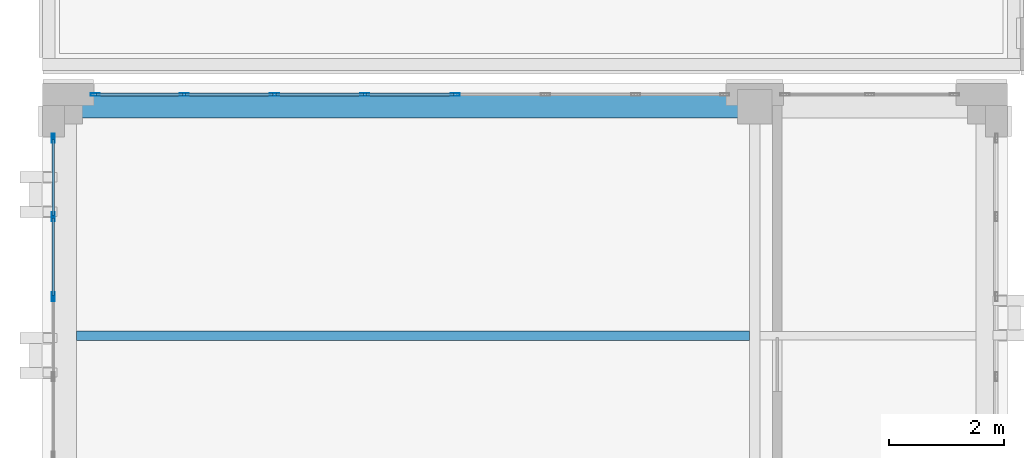
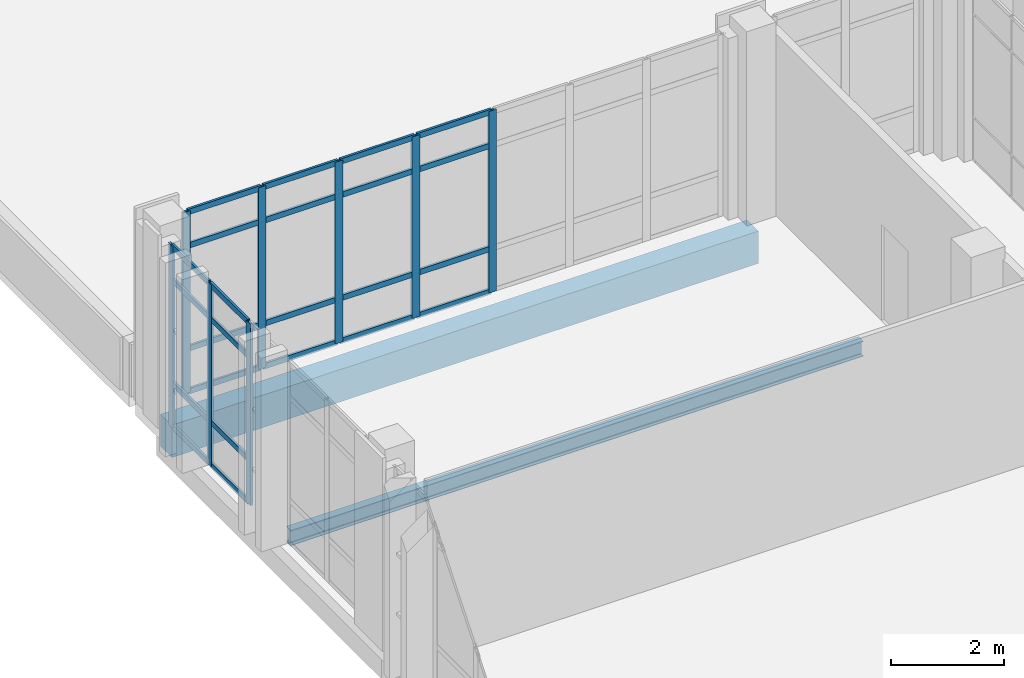
# One storey, part 37 of 90: 32 members, 2 beams, 2 elements without a shape of their own.
"""IFC4 building model written with IfcOpenShell, lengths in metres."""

from ifc_helpers import new_model, si_unit, direction, frame, origin, origin_2d, place, context, subcontext, project, spatial, rectangle, hollow_rectangle, i_section, extrude, material, layer, layer_set, material_profile, profile_set, type_object, element, aggregate, save


model = new_model("IFC4")

# Units and contexts
model_context = context("Model", 3, precision=1e-05, world=origin(), true_north=direction((0.0, 1.0)))
body_context = subcontext(model_context, "Body", "Model", "MODEL_VIEW")
ifc_project = project(units=[si_unit("LENGTHUNIT", "METRE"), si_unit("AREAUNIT", "SQUARE_METRE"), si_unit("VOLUMEUNIT", "CUBIC_METRE"), si_unit("PLANEANGLEUNIT", "RADIAN"), si_unit("MASSUNIT", "GRAM", prefix="KILO")], contexts=[model_context])

# Site, building, storey
site_placement = place(None, origin())
site = spatial("IfcSite", under=ifc_project, at=site_placement, CompositionType="ELEMENT")
building_placement = place(site_placement, origin())
building = spatial("IfcBuilding", under=site, at=building_placement, Name="Qalavern Law Courts", CompositionType="ELEMENT")
storey_placement = place(building_placement, frame((0.0, 0.0, 22.800048828125)))
storey = spatial("IfcBuildingStorey", under=building, at=storey_placement, Name="L05", CompositionType="ELEMENT", Elevation=22.800048828125)

# Curtain wall, members
ifc_material_1 = material(Name="Anodised aluminium and insulated glazing", Category="aluminium")
ifc_layer = layer(ifc_material_1, 0.159912109375)
ifc_layer_set = layer_set([ifc_layer], Name="Anodised aluminium and insulated glazing")
curtain_wall_type = type_object("IfcCurtainWallType", Name="ENV-CW-CHAMB", PredefinedType="USERDEFINED", material=ifc_layer_set)
curtain_wall_1_placement = place(storey_placement, origin())
curtain_wall_1 = element("IfcCurtainWall", 1, at=curtain_wall_1_placement, inside=storey, type_object=curtain_wall_type, Name="V3 unitised curtain wall L05 north 2", ObjectType="UNITISED CURTAIN WALL", PredefinedType="USERDEFINED")
ifc_material_2 = material(Name="Anodised aluminium", Category="aluminium")
ifc_material_profile_1 = material_profile(ifc_material_2, hollow_rectangle(XDim=0.048095703125, YDim=0.159912109375, WallThickness=0.00390625, at=origin_2d()), Name="ALU MULLION 48x160")
ifc_profile_set_1 = profile_set([ifc_material_profile_1], Name="Anodised aluminium")
member_type_1 = type_object("IfcMemberType", Name="ENV-CWM-48x160", PredefinedType="MULLION", material=ifc_profile_set_1)
member_1_placement = place(storey_placement, frame((9.185791015625, 95.78759765625, 0.0), z_axis=(0.0, 0.0, 1.0), x_axis=(0.0, -1.0, 0.0)))
member_1 = element("IfcMember", 2, at=member_1_placement, type_object=member_type_1, Name="CW-04 mullion 4", PredefinedType="MULLION", context=body_context, shape_type="SweptSolid", body=[
    extrude(hollow_rectangle(XDim=0.048095703125, YDim=0.159912109375, WallThickness=0.00390625, at=origin_2d()), origin(), (0.0, 0.0, 1.0), 3.929931640625),
])
member_2_placement = place(storey_placement, frame((7.6142578125, 95.78759765625, 0.0), z_axis=(0.0, 0.0, 1.0), x_axis=(0.0, -1.0, 0.0)))
member_2 = element("IfcMember", 3, at=member_2_placement, type_object=member_type_1, Name="CW-04 mullion 5", PredefinedType="MULLION", context=body_context, shape_type="SweptSolid", body=[
    extrude(hollow_rectangle(XDim=0.048095703125, YDim=0.159912109375, WallThickness=0.00390625, at=origin_2d()), origin(), (0.0, 0.0, 1.0), 3.929931640625),
])
member_3_placement = place(storey_placement, frame((6.04296875, 95.78759765625, 0.0), z_axis=(0.0, 0.0, 1.0), x_axis=(0.0, -1.0, 0.0)))
member_3 = element("IfcMember", 4, at=member_3_placement, type_object=member_type_1, Name="CW-04 mullion 6", PredefinedType="MULLION", context=body_context, shape_type="SweptSolid", body=[
    extrude(hollow_rectangle(XDim=0.048095703125, YDim=0.159912109375, WallThickness=0.00390625, at=origin_2d()), origin(), (0.0, 0.0, 1.0), 3.929931640625),
])
member_4_placement = place(storey_placement, frame((4.471435546875, 95.78759765625, 0.0), z_axis=(0.0, 0.0, 1.0), x_axis=(0.0, -1.0, 0.0)))
member_4 = element("IfcMember", 5, at=member_4_placement, type_object=member_type_1, Name="CW-04 mullion 7", PredefinedType="MULLION", context=body_context, shape_type="SweptSolid", body=[
    extrude(hollow_rectangle(XDim=0.048095703125, YDim=0.159912109375, WallThickness=0.00390625, at=origin_2d()), origin(), (0.0, 0.0, 1.0), 3.929931640625),
])
member_5_placement = place(storey_placement, frame((2.924072265625, 95.78759765625, 0.0), z_axis=(0.0, 0.0, 1.0), x_axis=(0.0, -1.0, 0.0)))
member_5 = element("IfcMember", 6, at=member_5_placement, type_object=member_type_1, Name="CW-04 mullion 8", PredefinedType="MULLION", context=body_context, shape_type="SweptSolid", body=[
    extrude(hollow_rectangle(XDim=0.048095703125, YDim=0.159912109375, WallThickness=0.00390625, at=origin_2d()), origin(), (0.0, 0.0, 1.0), 3.929931640625),
])

curtain_wall_2_placement = place(storey_placement, origin())
curtain_wall_2 = element("IfcCurtainWall", 7, at=curtain_wall_2_placement, inside=storey, type_object=curtain_wall_type, Name="V3 unitised curtain wall L05 west 1", ObjectType="UNITISED CURTAIN WALL", PredefinedType="USERDEFINED")
member_6_placement = place(storey_placement, frame((2.1923828125, 95.02587890625, 0.0), z_axis=(0.0, 0.0, 1.0), x_axis=(1.0, 0.0, 0.0)))
member_6 = element("IfcMember", 8, at=member_6_placement, type_object=member_type_1, Name="CW-04 mullion 1", PredefinedType="MULLION", context=body_context, shape_type="SweptSolid", body=[
    extrude(hollow_rectangle(XDim=0.048095703125, YDim=0.159912109375, WallThickness=0.00390625, at=origin_2d()), origin(), (0.0, 0.0, 1.0), 3.929931640625),
])
member_7_placement = place(storey_placement, frame((2.1923828125, 93.659912109375, 0.0), z_axis=(0.0, 0.0, 1.0), x_axis=(1.0, 0.0, 0.0)))
member_7 = element("IfcMember", 9, at=member_7_placement, type_object=member_type_1, Name="CW-04 mullion 2", PredefinedType="MULLION", context=body_context, shape_type="SweptSolid", body=[
    extrude(hollow_rectangle(XDim=0.048095703125, YDim=0.159912109375, WallThickness=0.00390625, at=origin_2d()), origin(), (0.0, 0.0, 1.0), 3.929931640625),
])
member_8_placement = place(storey_placement, frame((2.1923828125, 92.27001953125, 0.0), z_axis=(0.0, 0.0, 1.0), x_axis=(1.0, 0.0, 0.0)))
member_8 = element("IfcMember", 10, at=member_8_placement, type_object=member_type_1, Name="CW-04 mullion 3", PredefinedType="MULLION", context=body_context, shape_type="SweptSolid", body=[
    extrude(hollow_rectangle(XDim=0.048095703125, YDim=0.159912109375, WallThickness=0.00390625, at=origin_2d()), origin(), (0.0, 0.0, 1.0), 3.929931640625),
])

# Member
ifc_material_profile_2 = material_profile(ifc_material_2, hollow_rectangle(XDim=0.048095703125, YDim=0.1201171875, WallThickness=0.00390625, at=origin_2d()), Name="ALU TRANSOM 48x120")
ifc_profile_set_2 = profile_set([ifc_material_profile_2], Name="Anodised aluminium")
member_type_2 = type_object("IfcMemberType", Name="ENV-CWT-48x120", PredefinedType="USERDEFINED", material=ifc_profile_set_2)
member_9_placement = place(storey_placement, frame((9.16162109375, 95.78759765625, 0.02392578125), z_axis=(-1.0, 0.0, 0.0), x_axis=(0.0, -1.0, 0.0)))
member_9 = element("IfcMember", 11, at=member_9_placement, type_object=member_type_2, Name="CW-04 transom 4.1", ObjectType="TRANSOM", PredefinedType="USERDEFINED", context=body_context, shape_type="SweptSolid", body=[
    extrude(hollow_rectangle(XDim=0.048095703125, YDim=0.1201171875, WallThickness=0.00390625, at=origin_2d()), origin(), (0.0, 0.0, 1.0), 1.5234375),
])

member_10_placement = place(storey_placement, frame((9.16162109375, 95.78759765625, 0.949951171875), z_axis=(-1.0, 0.0, 0.0), x_axis=(0.0, -1.0, 0.0)))
member_10 = element("IfcMember", 12, at=member_10_placement, type_object=member_type_2, Name="CW-04 transom 4.2", ObjectType="TRANSOM", PredefinedType="USERDEFINED", context=body_context, shape_type="SweptSolid", body=[
    extrude(hollow_rectangle(XDim=0.048095703125, YDim=0.1201171875, WallThickness=0.00390625, at=origin_2d()), origin(), (0.0, 0.0, 1.0), 1.5234375),
])

member_11_placement = place(storey_placement, frame((9.16162109375, 95.78759765625, 3.179931640625), z_axis=(-1.0, 0.0, 0.0), x_axis=(0.0, -1.0, 0.0)))
member_11 = element("IfcMember", 13, at=member_11_placement, type_object=member_type_2, Name="CW-04 transom 4.3", ObjectType="TRANSOM", PredefinedType="USERDEFINED", context=body_context, shape_type="SweptSolid", body=[
    extrude(hollow_rectangle(XDim=0.048095703125, YDim=0.1201171875, WallThickness=0.00390625, at=origin_2d()), origin(), (0.0, 0.0, 1.0), 1.5234375),
])

member_12_placement = place(storey_placement, frame((9.16162109375, 95.78759765625, 3.906005859375), z_axis=(-1.0, 0.0, 0.0), x_axis=(0.0, -1.0, 0.0)))
member_12 = element("IfcMember", 14, at=member_12_placement, type_object=member_type_2, Name="CW-04 transom 4.4", ObjectType="TRANSOM", PredefinedType="USERDEFINED", context=body_context, shape_type="SweptSolid", body=[
    extrude(hollow_rectangle(XDim=0.048095703125, YDim=0.1201171875, WallThickness=0.00390625, at=origin_2d()), origin(), (0.0, 0.0, 1.0), 1.5234375),
])

member_13_placement = place(storey_placement, frame((7.59033203125, 95.78759765625, 0.02392578125), z_axis=(-1.0, 0.0, 0.0), x_axis=(0.0, -1.0, 0.0)))
member_13 = element("IfcMember", 15, at=member_13_placement, type_object=member_type_2, Name="CW-04 transom 5.1", ObjectType="TRANSOM", PredefinedType="USERDEFINED", context=body_context, shape_type="SweptSolid", body=[
    extrude(hollow_rectangle(XDim=0.048095703125, YDim=0.1201171875, WallThickness=0.00390625, at=origin_2d()), origin(), (0.0, 0.0, 1.0), 1.5234375),
])

member_14_placement = place(storey_placement, frame((7.59033203125, 95.78759765625, 0.949951171875), z_axis=(-1.0, 0.0, 0.0), x_axis=(0.0, -1.0, 0.0)))
member_14 = element("IfcMember", 16, at=member_14_placement, type_object=member_type_2, Name="CW-04 transom 5.2", ObjectType="TRANSOM", PredefinedType="USERDEFINED", context=body_context, shape_type="SweptSolid", body=[
    extrude(hollow_rectangle(XDim=0.048095703125, YDim=0.1201171875, WallThickness=0.00390625, at=origin_2d()), origin(), (0.0, 0.0, 1.0), 1.5234375),
])

member_15_placement = place(storey_placement, frame((7.59033203125, 95.78759765625, 3.179931640625), z_axis=(-1.0, 0.0, 0.0), x_axis=(0.0, -1.0, 0.0)))
member_15 = element("IfcMember", 17, at=member_15_placement, type_object=member_type_2, Name="CW-04 transom 5.3", ObjectType="TRANSOM", PredefinedType="USERDEFINED", context=body_context, shape_type="SweptSolid", body=[
    extrude(hollow_rectangle(XDim=0.048095703125, YDim=0.1201171875, WallThickness=0.00390625, at=origin_2d()), origin(), (0.0, 0.0, 1.0), 1.5234375),
])

member_16_placement = place(storey_placement, frame((7.59033203125, 95.78759765625, 3.906005859375), z_axis=(-1.0, 0.0, 0.0), x_axis=(0.0, -1.0, 0.0)))
member_16 = element("IfcMember", 18, at=member_16_placement, type_object=member_type_2, Name="CW-04 transom 5.4", ObjectType="TRANSOM", PredefinedType="USERDEFINED", context=body_context, shape_type="SweptSolid", body=[
    extrude(hollow_rectangle(XDim=0.048095703125, YDim=0.1201171875, WallThickness=0.00390625, at=origin_2d()), origin(), (0.0, 0.0, 1.0), 1.5234375),
])

member_17_placement = place(storey_placement, frame((6.018798828125, 95.78759765625, 0.02392578125), z_axis=(-1.0, 0.0, 0.0), x_axis=(0.0, -1.0, 0.0)))
member_17 = element("IfcMember", 19, at=member_17_placement, type_object=member_type_2, Name="CW-04 transom 6.1", ObjectType="TRANSOM", PredefinedType="USERDEFINED", context=body_context, shape_type="SweptSolid", body=[
    extrude(hollow_rectangle(XDim=0.048095703125, YDim=0.1201171875, WallThickness=0.00390625, at=origin_2d()), origin(), (0.0, 0.0, 1.0), 1.5234375),
])

member_18_placement = place(storey_placement, frame((6.018798828125, 95.78759765625, 0.949951171875), z_axis=(-1.0, 0.0, 0.0), x_axis=(0.0, -1.0, 0.0)))
member_18 = element("IfcMember", 20, at=member_18_placement, type_object=member_type_2, Name="CW-04 transom 6.2", ObjectType="TRANSOM", PredefinedType="USERDEFINED", context=body_context, shape_type="SweptSolid", body=[
    extrude(hollow_rectangle(XDim=0.048095703125, YDim=0.1201171875, WallThickness=0.00390625, at=origin_2d()), origin(), (0.0, 0.0, 1.0), 1.5234375),
])

member_19_placement = place(storey_placement, frame((6.018798828125, 95.78759765625, 3.179931640625), z_axis=(-1.0, 0.0, 0.0), x_axis=(0.0, -1.0, 0.0)))
member_19 = element("IfcMember", 21, at=member_19_placement, type_object=member_type_2, Name="CW-04 transom 6.3", ObjectType="TRANSOM", PredefinedType="USERDEFINED", context=body_context, shape_type="SweptSolid", body=[
    extrude(hollow_rectangle(XDim=0.048095703125, YDim=0.1201171875, WallThickness=0.00390625, at=origin_2d()), origin(), (0.0, 0.0, 1.0), 1.5234375),
])

member_20_placement = place(storey_placement, frame((6.018798828125, 95.78759765625, 3.906005859375), z_axis=(-1.0, 0.0, 0.0), x_axis=(0.0, -1.0, 0.0)))
member_20 = element("IfcMember", 22, at=member_20_placement, type_object=member_type_2, Name="CW-04 transom 6.4", ObjectType="TRANSOM", PredefinedType="USERDEFINED", context=body_context, shape_type="SweptSolid", body=[
    extrude(hollow_rectangle(XDim=0.048095703125, YDim=0.1201171875, WallThickness=0.00390625, at=origin_2d()), origin(), (0.0, 0.0, 1.0), 1.5234375),
])

member_21_placement = place(storey_placement, frame((4.447509765625, 95.78759765625, 0.02392578125), z_axis=(-1.0, 0.0, 0.0), x_axis=(0.0, -1.0, 0.0)))
member_21 = element("IfcMember", 23, at=member_21_placement, type_object=member_type_2, Name="CW-04 transom 7.1", ObjectType="TRANSOM", PredefinedType="USERDEFINED", context=body_context, shape_type="SweptSolid", body=[
    extrude(hollow_rectangle(XDim=0.048095703125, YDim=0.1201171875, WallThickness=0.00390625, at=origin_2d()), origin(), (0.0, 0.0, 1.0), 1.49951171875),
])

member_22_placement = place(storey_placement, frame((4.447509765625, 95.78759765625, 0.949951171875), z_axis=(-1.0, 0.0, 0.0), x_axis=(0.0, -1.0, 0.0)))
member_22 = element("IfcMember", 24, at=member_22_placement, type_object=member_type_2, Name="CW-04 transom 7.2", ObjectType="TRANSOM", PredefinedType="USERDEFINED", context=body_context, shape_type="SweptSolid", body=[
    extrude(hollow_rectangle(XDim=0.048095703125, YDim=0.1201171875, WallThickness=0.00390625, at=origin_2d()), origin(), (0.0, 0.0, 1.0), 1.49951171875),
])

member_23_placement = place(storey_placement, frame((4.447509765625, 95.78759765625, 3.179931640625), z_axis=(-1.0, 0.0, 0.0), x_axis=(0.0, -1.0, 0.0)))
member_23 = element("IfcMember", 25, at=member_23_placement, type_object=member_type_2, Name="CW-04 transom 7.3", ObjectType="TRANSOM", PredefinedType="USERDEFINED", context=body_context, shape_type="SweptSolid", body=[
    extrude(hollow_rectangle(XDim=0.048095703125, YDim=0.1201171875, WallThickness=0.00390625, at=origin_2d()), origin(), (0.0, 0.0, 1.0), 1.49951171875),
])

member_24_placement = place(storey_placement, frame((4.447509765625, 95.78759765625, 3.906005859375), z_axis=(-1.0, 0.0, 0.0), x_axis=(0.0, -1.0, 0.0)))
member_24 = element("IfcMember", 26, at=member_24_placement, type_object=member_type_2, Name="CW-04 transom 7.4", ObjectType="TRANSOM", PredefinedType="USERDEFINED", context=body_context, shape_type="SweptSolid", body=[
    extrude(hollow_rectangle(XDim=0.048095703125, YDim=0.1201171875, WallThickness=0.00390625, at=origin_2d()), origin(), (0.0, 0.0, 1.0), 1.49951171875),
])

aggregate(curtain_wall_1, [member_1, member_2, member_3, member_4, member_5, member_9, member_10, member_11, member_12, member_13, member_14, member_15, member_16, member_17, member_18, member_19, member_20, member_21, member_22, member_23, member_24])

member_25_placement = place(storey_placement, frame((2.1923828125, 95.001953125, 0.02392578125), z_axis=(0.0, -1.0, 0.0), x_axis=(1.0, 0.0, 0.0)))
member_25 = element("IfcMember", 27, at=member_25_placement, type_object=member_type_2, Name="CW-04 transom 1.1", ObjectType="TRANSOM", PredefinedType="USERDEFINED", context=body_context, shape_type="SweptSolid", body=[
    extrude(hollow_rectangle(XDim=0.048095703125, YDim=0.1201171875, WallThickness=0.00390625, at=origin_2d()), origin(), (0.0, 0.0, 1.0), 1.31787109375),
])

member_26_placement = place(storey_placement, frame((2.1923828125, 95.001953125, 0.949951171875), z_axis=(0.0, -1.0, 0.0), x_axis=(1.0, 0.0, 0.0)))
member_26 = element("IfcMember", 28, at=member_26_placement, type_object=member_type_2, Name="CW-04 transom 1.2", ObjectType="TRANSOM", PredefinedType="USERDEFINED", context=body_context, shape_type="SweptSolid", body=[
    extrude(hollow_rectangle(XDim=0.048095703125, YDim=0.1201171875, WallThickness=0.00390625, at=origin_2d()), origin(), (0.0, 0.0, 1.0), 1.31787109375),
])

member_27_placement = place(storey_placement, frame((2.1923828125, 95.001953125, 3.179931640625), z_axis=(0.0, -1.0, 0.0), x_axis=(1.0, 0.0, 0.0)))
member_27 = element("IfcMember", 29, at=member_27_placement, type_object=member_type_2, Name="CW-04 transom 1.3", ObjectType="TRANSOM", PredefinedType="USERDEFINED", context=body_context, shape_type="SweptSolid", body=[
    extrude(hollow_rectangle(XDim=0.048095703125, YDim=0.1201171875, WallThickness=0.00390625, at=origin_2d()), origin(), (0.0, 0.0, 1.0), 1.31787109375),
])

member_28_placement = place(storey_placement, frame((2.1923828125, 95.001953125, 3.906005859375), z_axis=(0.0, -1.0, 0.0), x_axis=(1.0, 0.0, 0.0)))
member_28 = element("IfcMember", 30, at=member_28_placement, type_object=member_type_2, Name="CW-04 transom 1.4", ObjectType="TRANSOM", PredefinedType="USERDEFINED", context=body_context, shape_type="SweptSolid", body=[
    extrude(hollow_rectangle(XDim=0.048095703125, YDim=0.1201171875, WallThickness=0.00390625, at=origin_2d()), origin(), (0.0, 0.0, 1.0), 1.31787109375),
])

member_29_placement = place(storey_placement, frame((2.1923828125, 93.635986328125, 0.02392578125), z_axis=(0.0, -1.0, 0.0), x_axis=(1.0, 0.0, 0.0)))
member_29 = element("IfcMember", 31, at=member_29_placement, type_object=member_type_2, Name="CW-04 transom 2.1", ObjectType="TRANSOM", PredefinedType="USERDEFINED", context=body_context, shape_type="SweptSolid", body=[
    extrude(hollow_rectangle(XDim=0.048095703125, YDim=0.1201171875, WallThickness=0.00390625, at=origin_2d()), origin(), (0.0, 0.0, 1.0), 1.342041015625),
])

member_30_placement = place(storey_placement, frame((2.1923828125, 93.635986328125, 0.949951171875), z_axis=(0.0, -1.0, 0.0), x_axis=(1.0, 0.0, 0.0)))
member_30 = element("IfcMember", 32, at=member_30_placement, type_object=member_type_2, Name="CW-04 transom 2.2", ObjectType="TRANSOM", PredefinedType="USERDEFINED", context=body_context, shape_type="SweptSolid", body=[
    extrude(hollow_rectangle(XDim=0.048095703125, YDim=0.1201171875, WallThickness=0.00390625, at=origin_2d()), origin(), (0.0, 0.0, 1.0), 1.342041015625),
])

member_31_placement = place(storey_placement, frame((2.1923828125, 93.635986328125, 3.179931640625), z_axis=(0.0, -1.0, 0.0), x_axis=(1.0, 0.0, 0.0)))
member_31 = element("IfcMember", 33, at=member_31_placement, type_object=member_type_2, Name="CW-04 transom 2.3", ObjectType="TRANSOM", PredefinedType="USERDEFINED", context=body_context, shape_type="SweptSolid", body=[
    extrude(hollow_rectangle(XDim=0.048095703125, YDim=0.1201171875, WallThickness=0.00390625, at=origin_2d()), origin(), (0.0, 0.0, 1.0), 1.342041015625),
])

member_32_placement = place(storey_placement, frame((2.1923828125, 93.635986328125, 3.906005859375), z_axis=(0.0, -1.0, 0.0), x_axis=(1.0, 0.0, 0.0)))
member_32 = element("IfcMember", 34, at=member_32_placement, type_object=member_type_2, Name="CW-04 transom 2.4", ObjectType="TRANSOM", PredefinedType="USERDEFINED", context=body_context, shape_type="SweptSolid", body=[
    extrude(hollow_rectangle(XDim=0.048095703125, YDim=0.1201171875, WallThickness=0.00390625, at=origin_2d()), origin(), (0.0, 0.0, 1.0), 1.342041015625),
])

aggregate(curtain_wall_2, [member_6, member_7, member_8, member_25, member_26, member_27, member_28, member_29, member_30, member_31, member_32])

# Beams
ifc_material_3 = material(Name="Steel S355", Category="steel")
ifc_material_profile_3 = material_profile(ifc_material_3, i_section(OverallWidth=0.159912109375, OverallDepth=0.330078125, WebThickness=0.007568359375, FlangeThickness=0.011474609375, FilletRadius=0.01806640625, at=origin_2d()), Name="IPE 330")
ifc_profile_set_3 = profile_set([ifc_material_profile_3], Name="Steel S355")
beam_type_1 = type_object("IfcBeamType", Name="STR-JST-IPE330", PredefinedType="JOIST", material=ifc_profile_set_3)
beam_1_placement = place(storey_placement, frame((2.597900390625, 91.590087890625, -0.43994140625), z_axis=(1.0, 0.0, 0.0), x_axis=(0.0, 1.0, 0.0)))
element("IfcBeam", 35, at=beam_1_placement, inside=storey, type_object=beam_type_1, Name="V3 secondary joist 1.7.1 L05", PredefinedType="JOIST", context=body_context, shape_type="SweptSolid", body=[
    extrude(i_section(OverallWidth=0.159912109375, OverallDepth=0.330078125, WebThickness=0.007568359375, FlangeThickness=0.011474609375, FilletRadius=0.01806640625, at=origin_2d()), origin(), (0.0, 0.0, 1.0), 11.714111328125),
])
ifc_material_4 = material(Name="Concrete C40/50", Category="concrete")
ifc_material_profile_4 = material_profile(ifc_material_4, rectangle(XDim=0.39990234375, YDim=0.699951171875, at=origin_2d()), Name="RC 400x700")
ifc_profile_set_4 = profile_set([ifc_material_profile_4], Name="Concrete C40/50")
beam_type_2 = type_object("IfcBeamType", Name="STR-SP-RC400x700", PredefinedType="SPANDREL", material=ifc_profile_set_4)
beam_2_placement = place(storey_placement, frame((2.39990234375, 95.580078125, -0.625), z_axis=(1.0, 0.0, 0.0), x_axis=(0.0, 1.0, 0.0)))
element("IfcBeam", 36, at=beam_2_placement, inside=storey, type_object=beam_type_2, Name="V3 X-beam 8-1 L05", PredefinedType="SPANDREL", context=body_context, shape_type="SweptSolid", body=[
    extrude(rectangle(XDim=0.39990234375, YDim=0.699951171875, at=origin_2d()), origin(), (0.0, 0.0, 1.0), 12.0),
])

save(model, "model.ifc")
